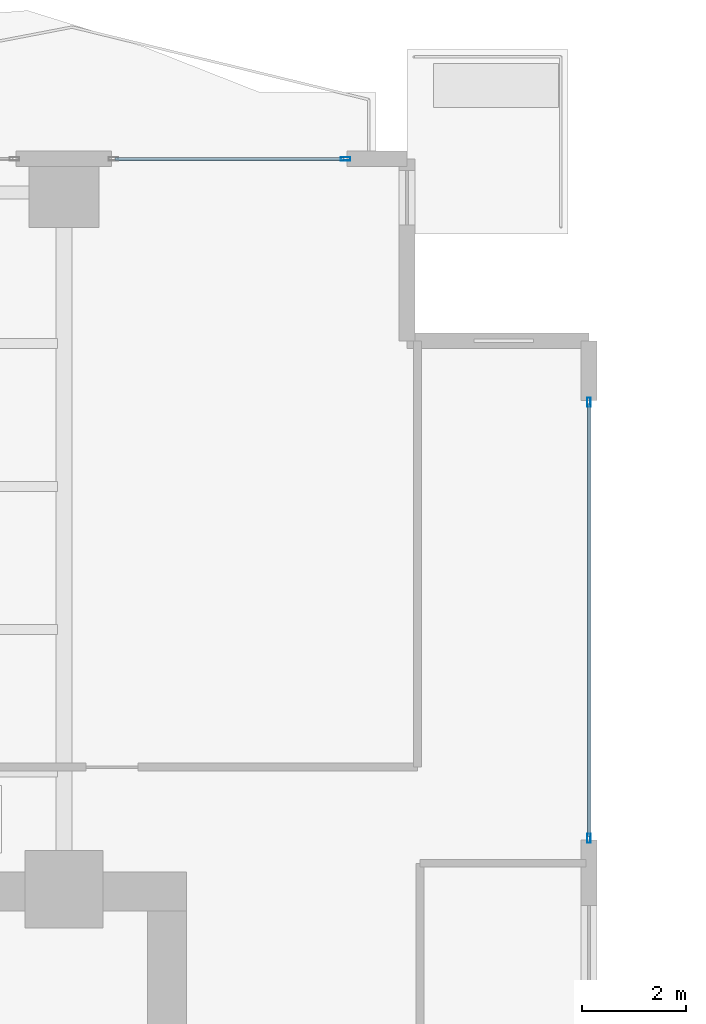
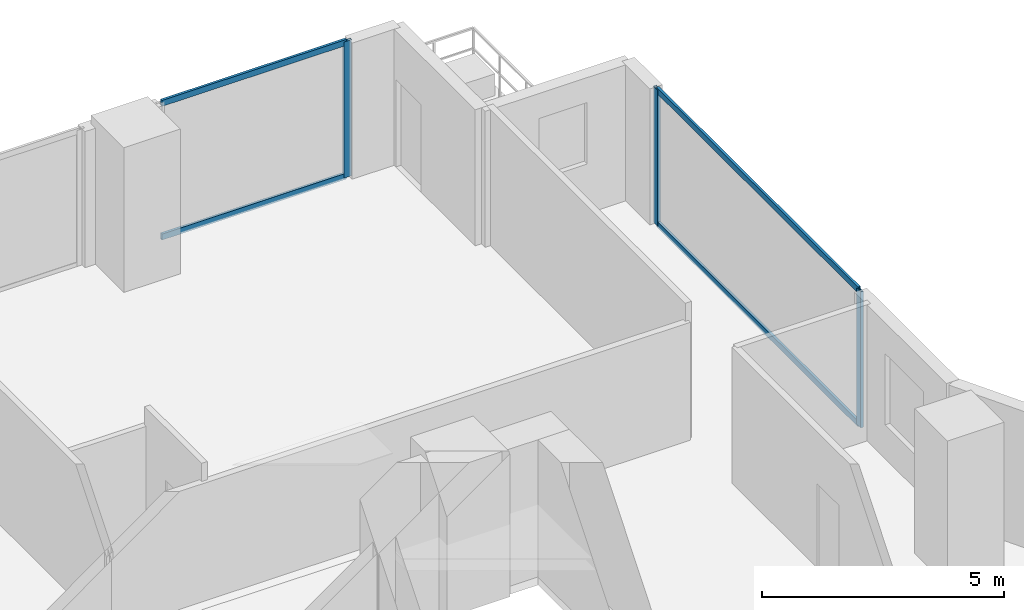
# One storey, part 19 of 28: 7 members, 2 elements without a shape of their own.
"""IFC4 building model written with IfcOpenShell, lengths in metres."""

from ifc_helpers import new_model, si_unit, direction, frame, origin, origin_2d, place, context, subcontext, project, spatial, hollow_rectangle, extrude, material, layer, layer_set, material_profile, profile_set, type_object, element, aggregate, save


model = new_model("IFC4")

# Units and contexts
model_context = context("Model", 3, precision=1e-05, world=origin(), true_north=direction((0.0, 1.0)))
body_context = subcontext(model_context, "Body", "Model", "MODEL_VIEW")
ifc_project = project(units=[si_unit("LENGTHUNIT", "METRE"), si_unit("AREAUNIT", "SQUARE_METRE"), si_unit("VOLUMEUNIT", "CUBIC_METRE"), si_unit("PLANEANGLEUNIT", "RADIAN"), si_unit("MASSUNIT", "GRAM", prefix="KILO")], contexts=[model_context])

# Site, building, storey
site_placement = place(None, origin())
site = spatial("IfcSite", under=ifc_project, at=site_placement, CompositionType="ELEMENT")
building_placement = place(site_placement, origin())
building = spatial("IfcBuilding", under=site, at=building_placement, Name="Zuhayl Quay Hotel", CompositionType="ELEMENT")
storey_placement = place(building_placement, frame((0.0, 0.0, 143.10009765625)))
storey = spatial("IfcBuildingStorey", under=building, at=storey_placement, Name="L36", CompositionType="ELEMENT", Elevation=143.10009765625)

# Curtain wall, member
ifc_material_1 = material(Name="Anodised Aluminium 6063-T6", Category="aluminium")
ifc_layer = layer(ifc_material_1, 0.179931640625, Name="Anodised Aluminium 6063-T6", Category="aluminium")
ifc_layer_set = layer_set([ifc_layer], Name="Anodised Aluminium 6063-T6")
curtain_wall_type = type_object("IfcCurtainWallType", Name="CW_SYS_Z2", PredefinedType="USERDEFINED", material=ifc_layer_set)
curtain_wall_1_placement = place(storey_placement, origin())
curtain_wall_1 = element("IfcCurtainWall", 1, at=curtain_wall_1_placement, inside=storey, type_object=curtain_wall_type, Name="L36 Curtain Wall ENV_L36_N_CW6", ObjectType="UNITISED CURTAIN WALL", PredefinedType="USERDEFINED")
ifc_material_2 = material(Name="Black-anodised aluminium 6063-T6", Category="aluminium")
ifc_material_profile_1 = material_profile(ifc_material_2, hollow_rectangle(XDim=0.06494140625, YDim=0.179931640625, WallThickness=0.00341796875, at=origin_2d()), Name="ALU180X65")
ifc_profile_set_1 = profile_set([ifc_material_profile_1], Name="Black-anodised aluminium 6063-T6")
member_type_1 = type_object("IfcMemberType", Name="MB_CW_MUL_180", PredefinedType="MULLION", material=ifc_profile_set_1)
member_1_placement = place(storey_placement, frame((19.217529296875, 28.39990234375, 0.0), z_axis=(0.0, 0.0, 1.0), x_axis=(0.0, 1.0, 0.0)))
member_1 = element("IfcMember", 2, at=member_1_placement, type_object=member_type_1, Name="CW-Z2 mullion 2", PredefinedType="MULLION", context=body_context, shape_type="SweptSolid", body=[
    extrude(hollow_rectangle(XDim=0.06494140625, YDim=0.179931640625, WallThickness=0.00341796875, at=origin_2d()), origin(), (0.0, 0.0, 1.0), 3.429931640625),
])

# Curtain wall, members
curtain_wall_2_placement = place(storey_placement, origin())
curtain_wall_2 = element("IfcCurtainWall", 3, at=curtain_wall_2_placement, inside=storey, type_object=curtain_wall_type, Name="L36 Curtain Wall ENV_L36_E11_CW1", ObjectType="UNITISED CURTAIN WALL", PredefinedType="USERDEFINED")
member_2_placement = place(storey_placement, frame((23.89990234375, 23.717529296875, 0.0), z_axis=(0.0, 0.0, 1.0), x_axis=(1.0, 0.0, 0.0)))
member_2 = element("IfcMember", 4, at=member_2_placement, type_object=member_type_1, Name="CW-Z2 mullion 1", PredefinedType="MULLION", context=body_context, shape_type="SweptSolid", body=[
    extrude(hollow_rectangle(XDim=0.06494140625, YDim=0.179931640625, WallThickness=0.00341796875, at=origin_2d()), origin(), (0.0, 0.0, 1.0), 3.429931640625),
])
member_3_placement = place(storey_placement, frame((23.89990234375, 15.33251953125, 0.0), z_axis=(0.0, 0.0, 1.0), x_axis=(1.0, 0.0, 0.0)))
member_3 = element("IfcMember", 5, at=member_3_placement, type_object=member_type_1, Name="CW-Z2 mullion 2", PredefinedType="MULLION", context=body_context, shape_type="SweptSolid", body=[
    extrude(hollow_rectangle(XDim=0.06494140625, YDim=0.179931640625, WallThickness=0.00341796875, at=origin_2d()), origin(), (0.0, 0.0, 1.0), 3.429931640625),
])

# Member
ifc_material_profile_2 = material_profile(ifc_material_2, hollow_rectangle(XDim=0.06005859375, YDim=0.14990234375, WallThickness=0.00341796875, at=origin_2d()), Name="ALU150X60")
ifc_profile_set_2 = profile_set([ifc_material_profile_2], Name="Black-anodised aluminium 6063-T6")
member_type_2 = type_object("IfcMemberType", Name="MB_CW_TRN_150", PredefinedType="USERDEFINED", material=ifc_profile_set_2)
member_4_placement = place(storey_placement, frame((14.784912109375, 28.39990234375, 0.02978515625), z_axis=(1.0, 0.0, 0.0), x_axis=(0.0, 1.0, 0.0)))
member_4 = element("IfcMember", 6, at=member_4_placement, type_object=member_type_2, Name="CW-Z2 transom 1.1", ObjectType="TRANSOM", PredefinedType="USERDEFINED", context=body_context, shape_type="SweptSolid", body=[
    extrude(hollow_rectangle(XDim=0.06005859375, YDim=0.14990234375, WallThickness=0.00341796875, at=origin_2d()), origin(), (0.0, 0.0, 1.0), 4.400146484375),
])

member_5_placement = place(storey_placement, frame((14.784912109375, 28.39990234375, 3.39990234375), z_axis=(1.0, 0.0, 0.0), x_axis=(0.0, 1.0, 0.0)))
member_5 = element("IfcMember", 7, at=member_5_placement, type_object=member_type_2, Name="CW-Z2 transom 1.2", ObjectType="TRANSOM", PredefinedType="USERDEFINED", context=body_context, shape_type="SweptSolid", body=[
    extrude(hollow_rectangle(XDim=0.06005859375, YDim=0.14990234375, WallThickness=0.00341796875, at=origin_2d()), origin(), (0.0, 0.0, 1.0), 4.400146484375),
])

aggregate(curtain_wall_1, [member_1, member_4, member_5])

member_6_placement = place(storey_placement, frame((23.89990234375, 23.68505859375, 0.02978515625), z_axis=(0.0, -1.0, 0.0), x_axis=(1.0, 0.0, 0.0)))
member_6 = element("IfcMember", 8, at=member_6_placement, type_object=member_type_2, Name="CW-Z2 transom 1.1", ObjectType="TRANSOM", PredefinedType="USERDEFINED", context=body_context, shape_type="SweptSolid", body=[
    extrude(hollow_rectangle(XDim=0.06005859375, YDim=0.14990234375, WallThickness=0.00341796875, at=origin_2d()), origin(), (0.0, 0.0, 1.0), 8.320068359375),
])

member_7_placement = place(storey_placement, frame((23.89990234375, 23.68505859375, 3.39990234375), z_axis=(0.0, -1.0, 0.0), x_axis=(1.0, 0.0, 0.0)))
member_7 = element("IfcMember", 9, at=member_7_placement, type_object=member_type_2, Name="CW-Z2 transom 1.2", ObjectType="TRANSOM", PredefinedType="USERDEFINED", context=body_context, shape_type="SweptSolid", body=[
    extrude(hollow_rectangle(XDim=0.06005859375, YDim=0.14990234375, WallThickness=0.00341796875, at=origin_2d()), origin(), (0.0, 0.0, 1.0), 8.320068359375),
])

aggregate(curtain_wall_2, [member_2, member_3, member_6, member_7])

save(model, "model.ifc")
